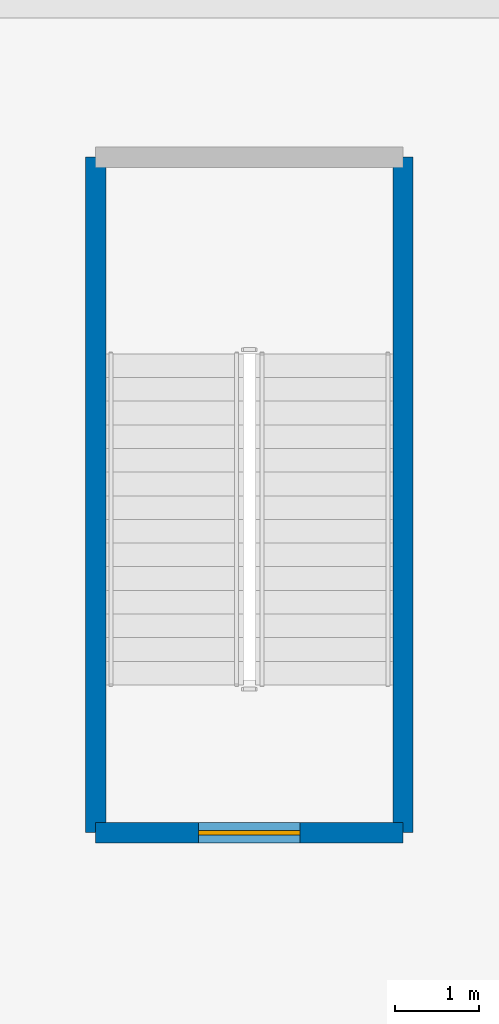
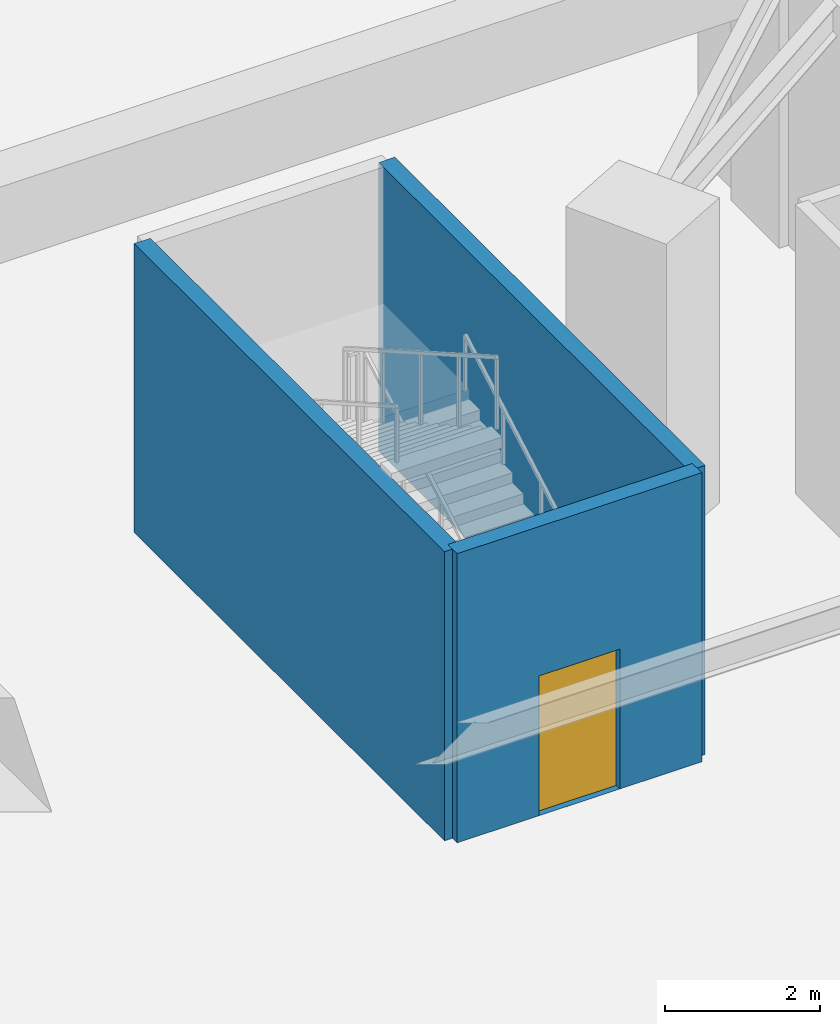
# One storey, part 8 of 20: 3 walls, 1 door, 1 opening.
"""IFC4 building model written with IfcOpenShell, lengths in metres."""

from ifc_helpers import new_model, si_unit, direction, frame, frame_2d, origin, place, context, subcontext, project, spatial, rectangle, extrude, source, transform, mapped, material, layer, layer_set, type_object, element, fill, save


model = new_model("IFC4")

# Units and contexts
model_context = context("Model", 3, precision=1e-05, world=origin(), true_north=direction((0.0, 1.0)))
body_context = subcontext(model_context, "Body", "Model", "MODEL_VIEW")
ifc_project = project(units=[si_unit("LENGTHUNIT", "METRE"), si_unit("AREAUNIT", "SQUARE_METRE"), si_unit("VOLUMEUNIT", "CUBIC_METRE"), si_unit("PLANEANGLEUNIT", "RADIAN"), si_unit("MASSUNIT", "GRAM", prefix="KILO")], contexts=[model_context])

# Site, building, storey
site_placement = place(None, origin())
site = spatial("IfcSite", under=ifc_project, at=site_placement, CompositionType="ELEMENT")
building_placement = place(site_placement, origin())
building = spatial("IfcBuilding", under=site, at=building_placement, Name="Liaohun Quay Tower", CompositionType="ELEMENT")
storey_placement = place(building_placement, frame((0.0, 0.0, -4.800048828125)))
storey = spatial("IfcBuildingStorey", under=building, at=storey_placement, Name="B1", CompositionType="ELEMENT", Elevation=-4.800048828125)

# Wall, opening, door
ifc_material_1 = material(Name="Concrete C50", Category="concrete")
ifc_layer = layer(ifc_material_1, 0.239990234375, Name="Concrete C50", Category="concrete")
ifc_layer_set = layer_set([ifc_layer], Name="Concrete C50")
wall_type = type_object("IfcWallType", Name="WAL-SHF-200", PredefinedType="SOLIDWALL", material=ifc_layer_set)
wall_placement = place(storey_placement, frame((31.10009765625, 32.0, 0.0), z_axis=(0.0, 0.0, 1.0), x_axis=(1.0, 0.0, 0.0)))
wall = element("IfcWall", 1, at=wall_placement, inside=storey, type_object=wall_type, Name="B1 Stairwell ST-P1 Structural Core Wall S", PredefinedType="SOLIDWALL", context=body_context, shape_type="SweptSolid", body=[
    extrude(rectangle(XDim=3.639892578125, YDim=0.239990234375, at=frame_2d((1.81982421875, 0.0))), origin(), (0.0, 0.0, 1.0), 4.550048828125),
])
shared_shape_1 = source(origin(), body_context, "Body", "SweptSolid", [
    extrude(rectangle(XDim=1.199951171875, YDim=2.199951171875, at=frame_2d((0.60009765625, 1.10009765625))), frame((0.0, 0.1298828125, 0.0), z_axis=(0.0, -1.0, 0.0), x_axis=(1.0, 0.0, 0.0)), (0.0, 0.0, 1.0), 0.260009765625),
])
opening_placement = place(wall_placement, frame((1.219970703125, 0.0, 0.0)))
opening = element("IfcOpeningElement", 2, at=opening_placement, cuts=wall, Name="Opening SD1", PredefinedType="OPENING", context=body_context, shape_type="MappedRepresentation", body=[
    mapped(shared_shape_1, transform((0.0, 0.0, 0.0), x_axis=(1.0, 0.0, 0.0), y_axis=(0.0, 1.0, 0.0), z_axis=(0.0, 0.0, 1.0), scale=1.0)),
])
ifc_material_2 = material(Name="Galvanised steel fire door", Category="steel")
door_type = type_object("IfcDoorType", Name="DOR-STR-1200", OperationType="NOTDEFINED", PredefinedType="DOOR", material=ifc_material_2)
shared_shape_2 = source(origin(), body_context, "Body", "SweptSolid", [
    extrude(rectangle(XDim=1.199951171875, YDim=2.199951171875, at=frame_2d((0.60009765625, 1.10009765625))), frame((0.0, 0.02490234375, 0.0), z_axis=(0.0, -1.0, 0.0), x_axis=(1.0, 0.0, 0.0)), (0.0, 0.0, 1.0), 0.050048828125),
])
door_placement = place(opening_placement, origin())
door = element("IfcDoor", 3, at=door_placement, inside=storey, type_object=door_type, Name="B1 Protected Stair ST-P1 Fire Door", OperationType="SINGLE_SWING_LEFT", OverallHeight=2.199951171875, OverallWidth=1.199951171875, PredefinedType="DOOR", context=body_context, shape_type="MappedRepresentation", body=[
    mapped(shared_shape_2, transform((0.0, 0.0, 0.0), x_axis=(1.0, 0.0, 0.0), y_axis=(0.0, 1.0, 0.0), z_axis=(0.0, 0.0, 1.0), scale=1.0)),
])
fill(opening, door)

# Walls
for number, where, z_axis, x_axis, name in (
    (4, (34.739990234375, 32.0, 0.0), (0.0, 0.0, 1.0), (0.0, 1.0, 0.0), "B1 Stairwell ST-P1 Structural Core Wall E"),
    (5, (31.10009765625, 40.0, 0.0), (0.0, 0.0, 1.0), (0.0, -1.0, 0.0), "B1 Stairwell ST-P1 Structural Core Wall W"),
):
    element("IfcWall", number, at=place(storey_placement, frame(where, z_axis=z_axis, x_axis=x_axis)), inside=storey, type_object=wall_type, Name=name, PredefinedType="SOLIDWALL", context=body_context, shape_type="SweptSolid", body=[
        extrude(rectangle(XDim=8.0, YDim=0.239990234375, at=frame_2d((4.0, 0.0))), origin(), (0.0, 0.0, 1.0), 4.550048828125),
    ])

save(model, "model.ifc")
